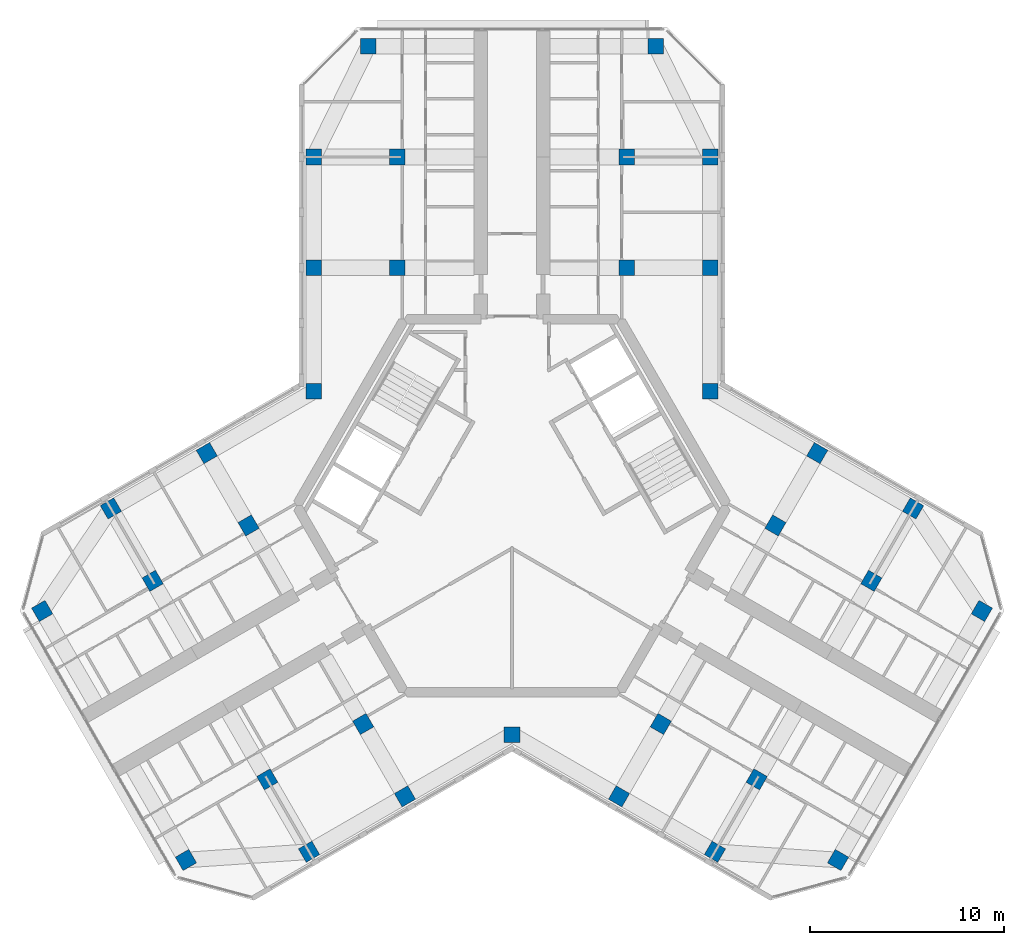
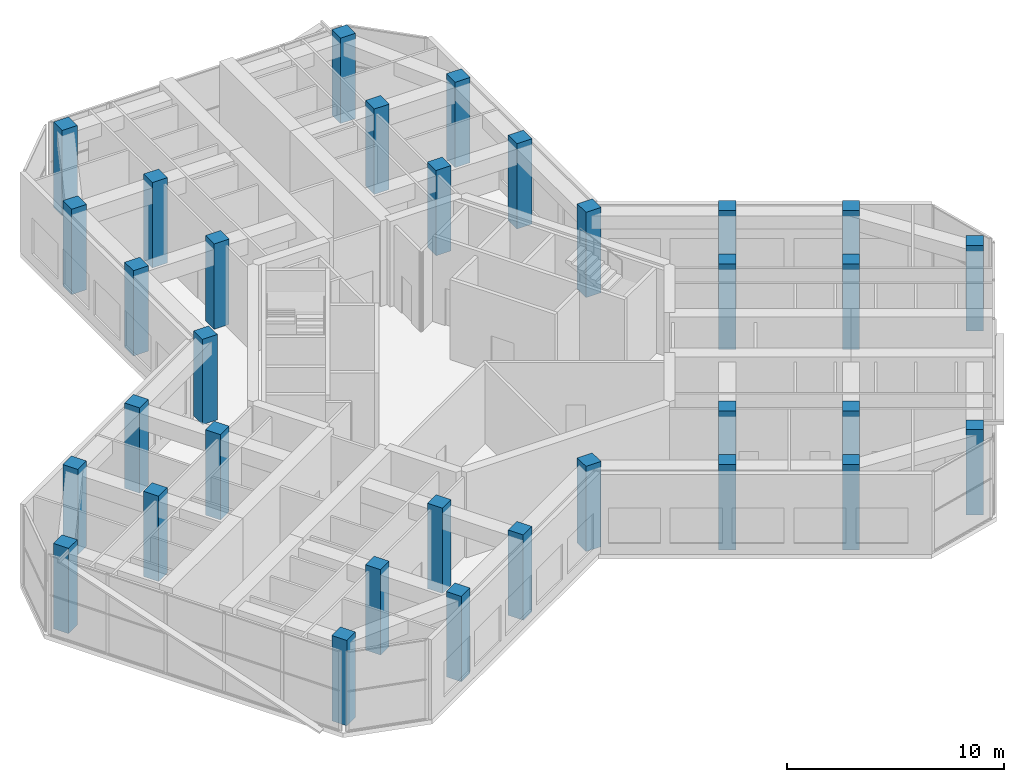
# One storey, part 1 of 14: 33 columns.
"""IFC4 building model written with IfcOpenShell, lengths in metres."""

from ifc_helpers import new_model, si_unit, direction, frame, origin, origin_2d, place, context, subcontext, project, spatial, rectangle, extrude, material, material_profile, profile_set, type_object, element, save


model = new_model("IFC4")

# Units and contexts
model_context = context("Model", 3, precision=1e-05, world=origin(), true_north=direction((0.0, 1.0)))
body_context = subcontext(model_context, "Body", "Model", "MODEL_VIEW")
ifc_project = project(units=[si_unit("LENGTHUNIT", "METRE"), si_unit("AREAUNIT", "SQUARE_METRE"), si_unit("VOLUMEUNIT", "CUBIC_METRE"), si_unit("PLANEANGLEUNIT", "RADIAN"), si_unit("MASSUNIT", "GRAM", prefix="KILO")], contexts=[model_context])

# Site, building, storey
site_placement = place(None, origin())
site = spatial("IfcSite", under=ifc_project, at=site_placement, CompositionType="ELEMENT")
building_placement = place(site_placement, origin())
building = spatial("IfcBuilding", under=site, at=building_placement, Name="Kosmar Iwan School Tower", CompositionType="ELEMENT")
storey_placement = place(building_placement, frame((0.0, 0.0, 296.199951171875)))
storey = spatial("IfcBuildingStorey", under=building, at=storey_placement, Name="L75", CompositionType="ELEMENT", Elevation=296.199951171875)

# Columns
ifc_material_1 = material(Name="Concrete C50/60", Category="concrete")
ifc_material_profile_1 = material_profile(ifc_material_1, rectangle(XDim=0.800048828125, YDim=0.800048828125, at=origin_2d()), Name="RC 800x800 + HE 300 M")
ifc_profile_set_1 = profile_set([ifc_material_profile_1], Name="Concrete C50/60")
column_type_1 = type_object("IfcColumnType", Name="Composite column 800x800 HE 300 M", PredefinedType="COLUMN", material=ifc_profile_set_1)
for number, where, z_axis, x_axis, name in (
    (1, (-10.199951171875, 12.25, 0.0), (0.0, 0.0, 1.0), (0.0, 1.0, 0.0), "Column AL1 L75"),
    (2, (-10.199951171875, 17.949951171875, 0.0), (0.0, 0.0, 1.0), (0.0, 1.0, 0.0), "Column AL2 L75"),
    (3, (-7.39990234375, 23.64990234375, 0.0), (0.0, 0.0, 1.0), (0.0, 1.0, 0.0), "Column ALTIP L75"),
    (4, (10.199951171875, 12.25, 0.0), (0.0, 0.0, 1.0), (0.0, 1.0, 0.0), "Column AR1 L75"),
    (5, (10.199951171875, 17.949951171875, 0.0), (0.0, 0.0, 1.0), (0.0, 1.0, 0.0), "Column AR2 L75"),
    (6, (7.39990234375, 23.64990234375, 0.0), (0.0, 0.0, 1.0), (0.0, 1.0, 0.0), "Column ARTIP L75"),
    (7, (-5.5087890625, -14.95849609375, 0.0), (0.0, 0.0, 1.0), (-0.866025403784, -0.5, 0.0), "Column BL1 L75"),
    (8, (-10.445068359375, -17.808349609375, 0.0), (0.0, 0.0, 1.0), (-0.866025403784, -0.5, 0.0), "Column BL2 L75"),
    (9, (-16.781494140625, -18.233642578125, 0.0), (0.0, 0.0, 1.0), (-0.866025403784, -0.5, 0.0), "Column BLTIP L75"),
    (10, (-15.708740234375, 2.70849609375, 0.0), (0.0, 0.0, 1.0), (-0.866025403784, -0.5, 0.0), "Column BR1 L75"),
    (11, (-20.645263671875, -0.1416015625, 0.0), (0.0, 0.0, 1.0), (-0.866025403784, -0.5, 0.0), "Column BR2 L75"),
    (12, (-24.181396484375, -5.41650390625, 0.0), (0.0, 0.0, 1.0), (-0.866025403784, -0.5, 0.0), "Column BRTIP L75"),
    (13, (15.708740234375, 2.70849609375, 0.0), (0.0, 0.0, 1.0), (0.866025403784, -0.5, 0.0), "Column CL1 L75"),
    (14, (20.645263671875, -0.1416015625, 0.0), (0.0, 0.0, 1.0), (0.866025403784, -0.5, 0.0), "Column CL2 L75"),
    (15, (24.181396484375, -5.41650390625, 0.0), (0.0, 0.0, 1.0), (0.866025403784, -0.5, 0.0), "Column CLTIP L75"),
    (16, (5.5087890625, -14.95849609375, 0.0), (0.0, 0.0, 1.0), (0.866025403784, -0.5, 0.0), "Column CR1 L75"),
    (17, (10.445068359375, -17.808349609375, 0.0), (0.0, 0.0, 1.0), (0.866025403784, -0.5, 0.0), "Column CR2 L75"),
    (18, (16.781494140625, -18.233642578125, 0.0), (0.0, 0.0, 1.0), (0.866025403784, -0.5, 0.0), "Column CRTIP L75"),
    (19, (-10.199951171875, 5.888916015625, 0.0), (0.0, 0.0, 1.0), (1.0, 0.0, 0.0), "Column RAB L75"),
    (20, (10.199951171875, 5.888916015625, 0.0), (0.0, 0.0, 1.0), (1.0, 0.0, 0.0), "Column RAC L75"),
    (21, (0.0, -11.77783203125, 0.0), (0.0, 0.0, 1.0), (1.0, 0.0, 0.0), "Column RBC L75"),
):
    element("IfcColumn", number, at=place(storey_placement, frame(where, z_axis=z_axis, x_axis=x_axis)), inside=storey, type_object=column_type_1, Name=name, PredefinedType="COLUMN", context=body_context, shape_type="SweptSolid", body=[
        extrude(rectangle(XDim=0.800048828125, YDim=0.800048828125, at=origin_2d()), origin(), (0.0, 0.0, 1.0), 4.800048828125),
    ])
ifc_material_2 = material(Name="Concrete C50/60", Category="concrete")
ifc_material_profile_2 = material_profile(ifc_material_2, rectangle(XDim=0.800048828125, YDim=0.800048828125, at=origin_2d()), Name="RC 800x800")
ifc_profile_set_2 = profile_set([ifc_material_profile_2], Name="Concrete C50/60")
column_type_2 = type_object("IfcColumnType", Name="RC interior column 800x800", PredefinedType="COLUMN", material=ifc_profile_set_2)
for number, where, z_axis, x_axis, name in (
    (22, (-5.89990234375, 12.25, 0.0), (0.0, 0.0, 1.0), (0.0, 1.0, 0.0), "Interior column ALI1 L75"),
    (23, (-5.89990234375, 17.949951171875, 0.0), (0.0, 0.0, 1.0), (0.0, 1.0, 0.0), "Interior column ALI2 L75"),
    (24, (5.89990234375, 12.25, 0.0), (0.0, 0.0, 1.0), (0.0, 1.0, 0.0), "Interior column ARI1 L75"),
    (25, (5.89990234375, 17.949951171875, 0.0), (0.0, 0.0, 1.0), (0.0, 1.0, 0.0), "Interior column ARI2 L75"),
    (26, (-7.65869140625, -11.234619140625, 0.0), (0.0, 0.0, 1.0), (-0.866025403784, -0.5, 0.0), "Interior column BLI1 L75"),
    (27, (-12.59521484375, -14.08447265625, 0.0), (0.0, 0.0, 1.0), (-0.866025403784, -0.5, 0.0), "Interior column BLI2 L75"),
    (28, (-13.558837890625, -1.015380859375, 0.0), (0.0, 0.0, 1.0), (-0.866025403784, -0.5, 0.0), "Interior column BRI1 L75"),
    (29, (-18.4951171875, -3.865478515625, 0.0), (0.0, 0.0, 1.0), (-0.866025403784, -0.5, 0.0), "Interior column BRI2 L75"),
    (30, (13.558837890625, -1.015380859375, 0.0), (0.0, 0.0, 1.0), (0.866025403784, -0.5, 0.0), "Interior column CLI1 L75"),
    (31, (18.4951171875, -3.865478515625, 0.0), (0.0, 0.0, 1.0), (0.866025403784, -0.5, 0.0), "Interior column CLI2 L75"),
    (32, (7.65869140625, -11.234619140625, 0.0), (0.0, 0.0, 1.0), (0.866025403784, -0.5, 0.0), "Interior column CRI1 L75"),
    (33, (12.59521484375, -14.08447265625, 0.0), (0.0, 0.0, 1.0), (0.866025403784, -0.5, 0.0), "Interior column CRI2 L75"),
):
    element("IfcColumn", number, at=place(storey_placement, frame(where, z_axis=z_axis, x_axis=x_axis)), inside=storey, type_object=column_type_2, Name=name, PredefinedType="COLUMN", context=body_context, shape_type="SweptSolid", body=[
        extrude(rectangle(XDim=0.800048828125, YDim=0.800048828125, at=origin_2d()), origin(), (0.0, 0.0, 1.0), 4.800048828125),
    ])

save(model, "model.ifc")
